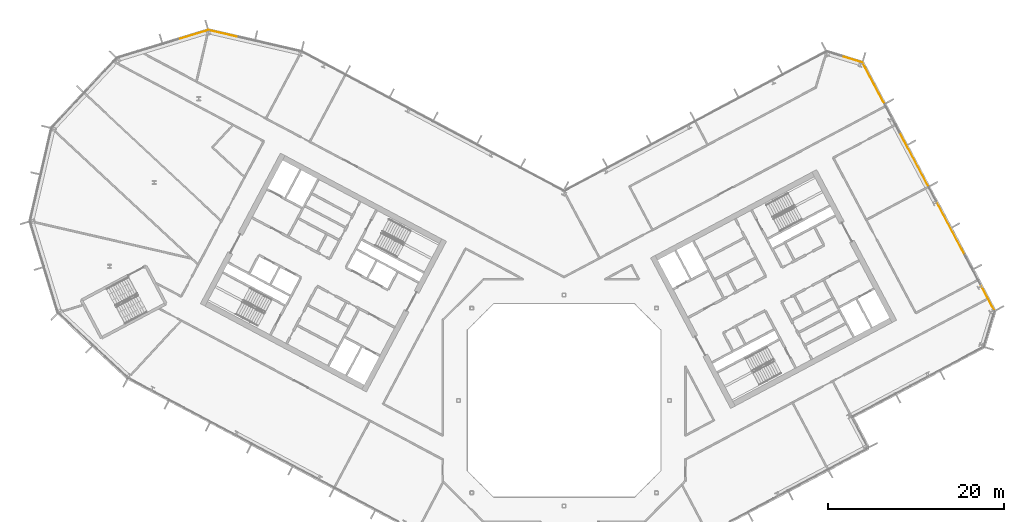
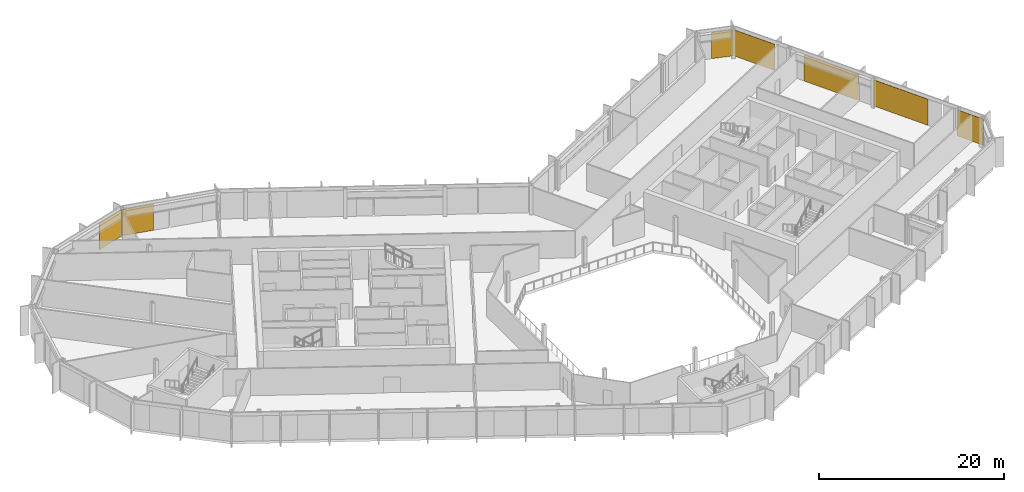
# One storey, part 26 of 26: 7 coverings, 4 elements without a shape of their own.
"""IFC4 building model written with IfcOpenShell, lengths in metres."""

from ifc_helpers import new_model, si_unit, direction, frame, origin, origin_2d, place, context, subcontext, project, spatial, rectangle, extrude, material, layer, layer_set, type_object, element, aggregate, save


model = new_model("IFC4")

# Units and contexts
model_context = context("Model", 3, precision=1e-05, world=origin(), true_north=direction((0.0, 1.0)))
body_context = subcontext(model_context, "Body", "Model", "MODEL_VIEW")
ifc_project = project(units=[si_unit("LENGTHUNIT", "METRE"), si_unit("AREAUNIT", "SQUARE_METRE"), si_unit("VOLUMEUNIT", "CUBIC_METRE"), si_unit("PLANEANGLEUNIT", "RADIAN"), si_unit("MASSUNIT", "GRAM", prefix="KILO")], contexts=[model_context])

# Site, building, storey
site_placement = place(None, origin())
site = spatial("IfcSite", under=ifc_project, at=site_placement, CompositionType="ELEMENT")
building_placement = place(site_placement, origin())
building = spatial("IfcBuilding", under=site, at=building_placement, Name="Cormorant Relay Tower", CompositionType="ELEMENT")
storey_placement = place(building_placement, frame((0.0, 0.0, 197.39990234375)))
storey = spatial("IfcBuildingStorey", under=building, at=storey_placement, Name="L42", CompositionType="ELEMENT", Elevation=197.39990234375)

# Curtain wall, coverings
ifc_material_1 = material(Name="Aluminium 6063-T6 anodised bronze", Category="aluminium")
ifc_layer_1 = layer(ifc_material_1, 0.199951171875)
ifc_layer_set_1 = layer_set([ifc_layer_1], Name="CW1 unitised bronze curtain wall with vertical fins")
curtain_wall_type = type_object("IfcCurtainWallType", Name="CW1 unitised bronze curtain wall with vertical fins", PredefinedType="NOTDEFINED", material=ifc_layer_set_1)
curtain_wall_1_placement = place(storey_placement, origin())
curtain_wall_1 = element("IfcCurtainWall", 1, at=curtain_wall_1_placement, inside=storey, type_object=curtain_wall_type, Name="CW1 curtain wall 6", PredefinedType="NOTDEFINED")
ifc_material_2 = material(Name="Pale bronze anodised aluminium insulated panel", Category="aluminium")
ifc_layer_2 = layer(ifc_material_2, 0.0400390625)
ifc_layer_set_2 = layer_set([ifc_layer_2], Name="CW1 pale bronze insulated panel 40")
covering_type = type_object("IfcCoveringType", Name="CW1 pale bronze insulated panel 40", PredefinedType="CLADDING", material=ifc_layer_set_2)
covering_1_placement = place(storey_placement, frame((48.142333984375, 11.74267578125, 0.0), z_axis=(0.0, 0.0, 1.0), x_axis=(-0.469471562786, 0.882947592859, 0.0)))
covering_1 = element("IfcCovering", 2, at=covering_1_placement, type_object=covering_type, Name="CW1 panel S00", PredefinedType="CLADDING", context=body_context, shape_type="SweptSolid", body=[
    extrude(rectangle(XDim=3.38330078125, YDim=0.0400390625, at=origin_2d()), origin(), (0.0, 0.0, 1.0), 3.449951171875),
])
covering_2_placement = place(storey_placement, frame((43.964111328125, 19.600830078125, 0.0), z_axis=(0.0, 0.0, 1.0), x_axis=(-0.469471562786, 0.882947592859, 0.0)))
covering_2 = element("IfcCovering", 3, at=covering_2_placement, type_object=covering_type, Name="CW1 panel S03", PredefinedType="CLADDING", context=body_context, shape_type="SweptSolid", body=[
    extrude(rectangle(XDim=6.916748046875, YDim=0.0400390625, at=origin_2d()), origin(), (0.0, 0.0, 1.0), 3.449951171875),
])
covering_3_placement = place(storey_placement, frame((39.801513671875, 27.4296875, 0.0), z_axis=(0.0, 0.0, 1.0), x_axis=(-0.469471562786, 0.882947592859, 0.0)))
covering_3 = element("IfcCovering", 4, at=covering_3_placement, type_object=covering_type, Name="CW1 panel S05", PredefinedType="CLADDING", context=body_context, shape_type="SweptSolid", body=[
    extrude(rectangle(XDim=6.916748046875, YDim=0.0400390625, at=origin_2d()), origin(), (0.0, 0.0, 1.0), 3.449951171875),
])
covering_4_placement = place(storey_placement, frame((35.18310546875, 36.11572265625, 0.0), z_axis=(0.0, 0.0, 1.0), x_axis=(-0.469471562786, 0.882947592859, 0.0)))
covering_4 = element("IfcCovering", 5, at=covering_4_placement, type_object=covering_type, Name="CW1 panel S07", PredefinedType="CLADDING", context=body_context, shape_type="SweptSolid", body=[
    extrude(rectangle(XDim=5.25830078125, YDim=0.0400390625, at=origin_2d()), origin(), (0.0, 0.0, 1.0), 3.449951171875),
])
aggregate(curtain_wall_1, [covering_1, covering_2, covering_3, covering_4])

# Curtain wall, covering
curtain_wall_2_placement = place(storey_placement, origin())
curtain_wall_2 = element("IfcCurtainWall", 6, at=curtain_wall_2_placement, inside=storey, type_object=curtain_wall_type, Name="CW1 curtain wall 7", PredefinedType="NOTDEFINED")
covering_5_placement = place(storey_placement, frame((32.73291015625, 38.81494140625, 0.0), z_axis=(0.0, 0.0, 1.0), x_axis=(-0.956304755963, 0.292371704723, 0.0)))
covering_5 = element("IfcCovering", 7, at=covering_5_placement, type_object=covering_type, Name="CW1 panel S00", PredefinedType="CLADDING", context=body_context, shape_type="SweptSolid", body=[
    extrude(rectangle(XDim=2.36767578125, YDim=0.0400390625, at=origin_2d()), origin(), (0.0, 0.0, 1.0), 3.449951171875),
])
aggregate(curtain_wall_2, [covering_5])

curtain_wall_3_placement = place(storey_placement, origin())
curtain_wall_3 = element("IfcCurtainWall", 8, at=curtain_wall_3_placement, inside=storey, type_object=curtain_wall_type, Name="CW1 curtain wall 10", PredefinedType="NOTDEFINED")
covering_6_placement = place(storey_placement, frame((-38.7265625, 41.732421875, 0.0), z_axis=(0.0, 0.0, 1.0), x_axis=(-0.974370064785, 0.224951054344, 0.0)))
covering_6 = element("IfcCovering", 9, at=covering_6_placement, type_object=covering_type, Name="CW1 panel S03", PredefinedType="CLADDING", context=body_context, shape_type="SweptSolid", body=[
    extrude(rectangle(XDim=3.560302734375, YDim=0.0400390625, at=origin_2d()), origin(), (0.0, 0.0, 1.0), 3.449951171875),
])
aggregate(curtain_wall_3, [covering_6])

curtain_wall_4_placement = place(storey_placement, origin())
curtain_wall_4 = element("IfcCurtainWall", 10, at=curtain_wall_4_placement, inside=storey, type_object=curtain_wall_type, Name="CW1 curtain wall 11", PredefinedType="NOTDEFINED")
covering_7_placement = place(storey_placement, frame((-42.209716796875, 41.60107421875, 0.0), z_axis=(0.0, 0.0, 1.0), x_axis=(-0.956304755963, -0.292371704723, 0.0)))
covering_7 = element("IfcCovering", 11, at=covering_7_placement, type_object=covering_type, Name="CW1 panel S00", PredefinedType="CLADDING", context=body_context, shape_type="SweptSolid", body=[
    extrude(rectangle(XDim=3.485107421875, YDim=0.0400390625, at=origin_2d()), origin(), (0.0, 0.0, 1.0), 3.449951171875),
])
aggregate(curtain_wall_4, [covering_7])

save(model, "model.ifc")
